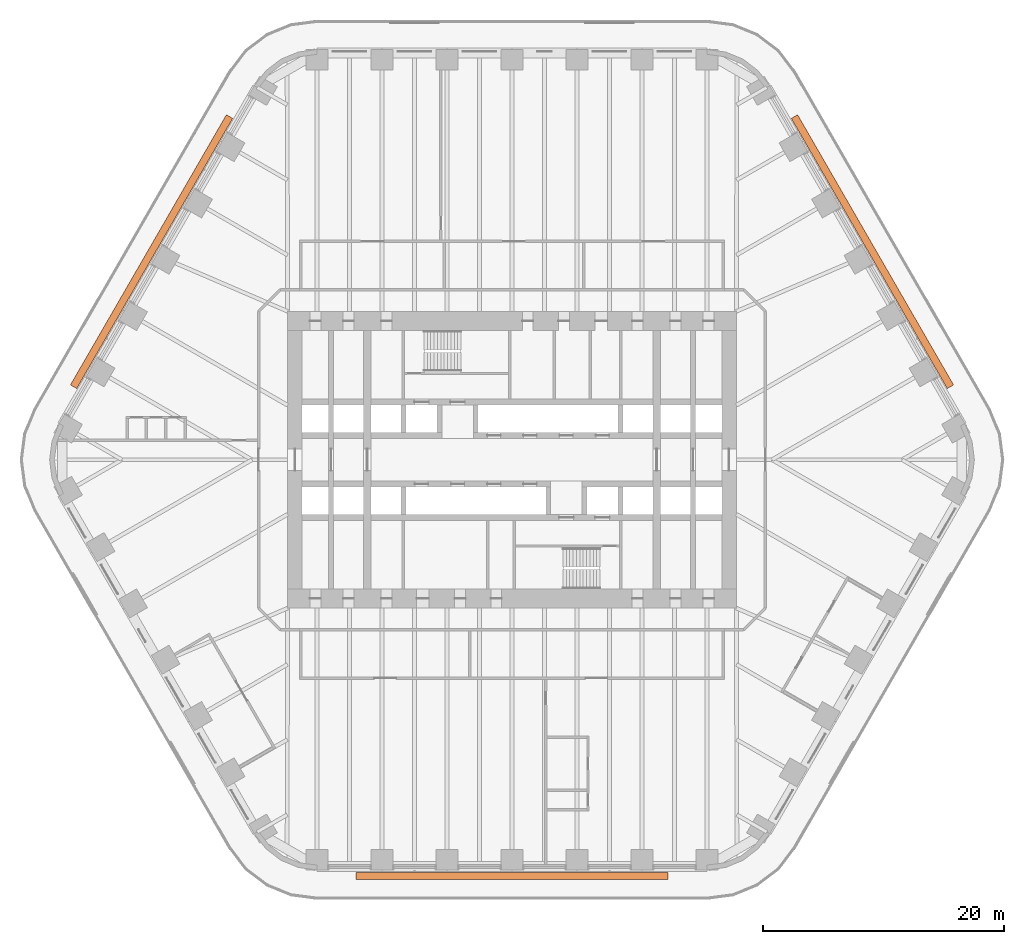
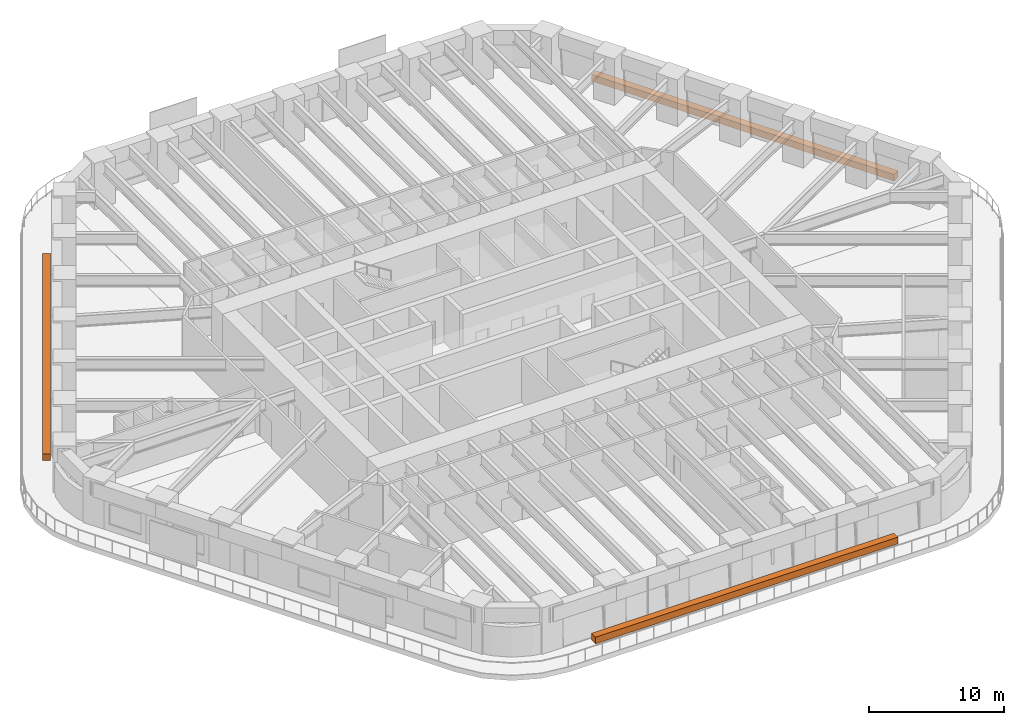
# One storey, part 23 of 23: 3 proxies.
"""IFC4 building model written with IfcOpenShell, lengths in metres."""

from ifc_helpers import new_model, si_unit, direction, frame, origin, origin_2d, place, context, subcontext, project, spatial, rectangle, extrude, material, element, save


model = new_model("IFC4")

# Units and contexts
model_context = context("Model", 3, precision=1e-05, world=origin(), true_north=direction((0.0, 1.0)))
body_context = subcontext(model_context, "Body", "Model", "MODEL_VIEW")
ifc_project = project(units=[si_unit("LENGTHUNIT", "METRE"), si_unit("AREAUNIT", "SQUARE_METRE"), si_unit("VOLUMEUNIT", "CUBIC_METRE"), si_unit("PLANEANGLEUNIT", "RADIAN"), si_unit("MASSUNIT", "GRAM", prefix="KILO")], contexts=[model_context])

# Site, building, storey
site_placement = place(None, origin())
site = spatial("IfcSite", under=ifc_project, at=site_placement, CompositionType="ELEMENT")
building_placement = place(site_placement, origin())
building = spatial("IfcBuilding", under=site, at=building_placement, Name="Tarfa Lantern Tower", CompositionType="ELEMENT")
storey_placement = place(building_placement, frame((0.0, 0.0, 86.5)))
storey = spatial("IfcBuildingStorey", under=building, at=storey_placement, Name="L19", CompositionType="ELEMENT", Elevation=86.5)

# Proxies
ifc_material = material(Name="Planting bed")
for number, where, z_axis, x_axis, name in (
    (1, (29.8779296875, 17.25, 0.0), (0.0, 0.0, 1.0), (-0.5, 0.866025403784, 0.0), "Balcony planter"),
    (2, (-29.8779296875, 17.25, 0.0), (0.0, 0.0, 1.0), (-0.5, -0.866025403784, 0.0), "Balcony planter"),
    (3, (0.0, -34.5, 0.0), (0.0, 0.0, 1.0), (1.0, 0.0, 0.0), "Balcony planter"),
):
    element("IfcBuildingElementProxy", number, at=place(storey_placement, frame(where, z_axis=z_axis, x_axis=x_axis)), inside=storey, material=ifc_material, Name=name, ObjectType="PLANTER", PredefinedType="USERDEFINED", context=body_context, shape_type="SweptSolid", body=[
        extrude(rectangle(XDim=25.865234375, YDim=0.60009765625, at=origin_2d()), origin(), (0.0, 0.0, 1.0), 0.60009765625),
    ])

save(model, "model.ifc")
